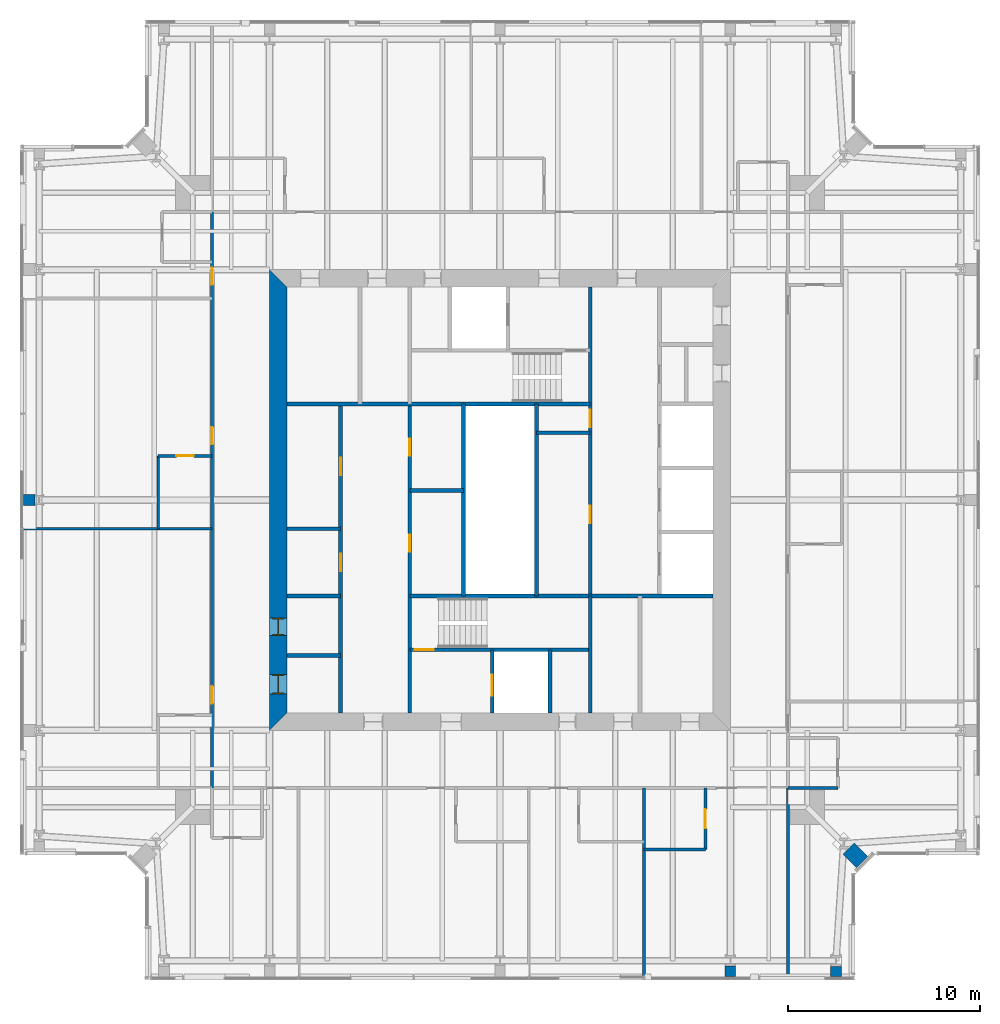
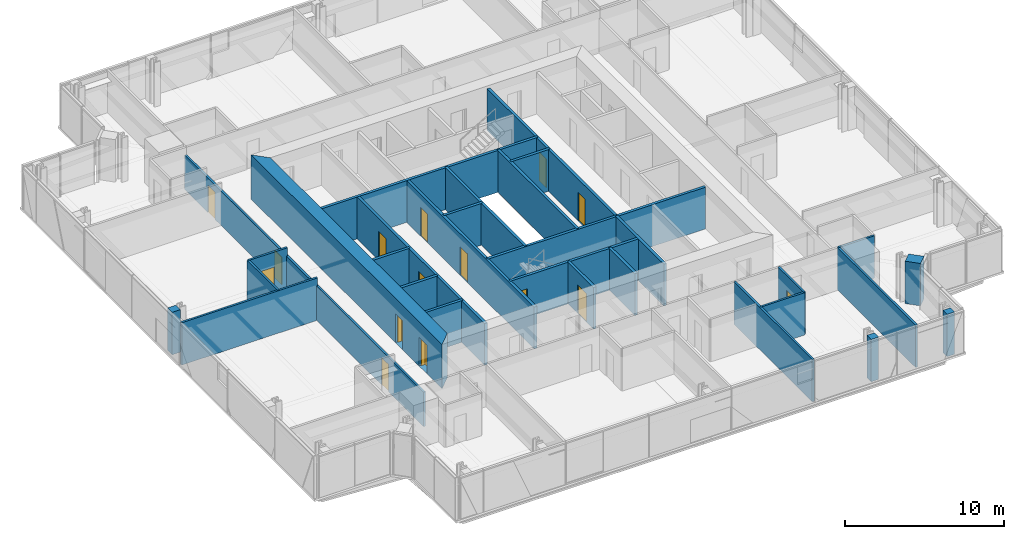
# One storey, part 12 of 20: 30 walls, 15 doors, 15 openings.
"""IFC4 building model written with IfcOpenShell, lengths in metres."""

from ifc_helpers import new_model, si_unit, direction, frame, frame_2d, origin, place, context, subcontext, project, spatial, polyline, rectangle, outline, extrude, material, layer, layer_set, type_object, element, fill, save


model = new_model("IFC4")

# Units and contexts
model_context = context("Model", 3, precision=1e-05, world=origin(), true_north=direction((0.0, 1.0)))
body_context = subcontext(model_context, "Body", "Model", "MODEL_VIEW")
ifc_project = project(units=[si_unit("LENGTHUNIT", "METRE"), si_unit("AREAUNIT", "SQUARE_METRE"), si_unit("VOLUMEUNIT", "CUBIC_METRE"), si_unit("PLANEANGLEUNIT", "RADIAN"), si_unit("MASSUNIT", "GRAM", prefix="KILO")], contexts=[model_context])

# Site, building, storey
site_placement = place(None, origin())
site = spatial("IfcSite", under=ifc_project, at=site_placement, CompositionType="ELEMENT")
building_placement = place(site_placement, origin())
building = spatial("IfcBuilding", under=site, at=building_placement, Name="Fenwick Lantern Interchange", CompositionType="ELEMENT")
storey_placement = place(building_placement, frame((0.0, 0.0, 276.39990234375)))
storey = spatial("IfcBuildingStorey", under=building, at=storey_placement, Name="L66", CompositionType="ELEMENT", Elevation=276.39990234375)

# Walls
ifc_material_1 = material(Name="Fire-rated gypsum board encasement on steel studs, 2 hour", Category="steel")
ifc_layer_1 = layer(ifc_material_1, 0.5419921875)
ifc_layer_set_1 = layer_set([ifc_layer_1], Name="COLUMN PIER 542")
wall_type_1 = type_object("IfcWallType", Name="COLUMN PIER 542", PredefinedType="PARTITIONING", material=ifc_layer_set_1)
wall_1_placement = place(storey_placement, frame((37.0, 0.18994140625, 0.0), z_axis=(0.0, 0.0, 1.0), x_axis=(0.0, 1.0, 0.0)))
element("IfcWall", 1, at=wall_1_placement, inside=storey, type_object=wall_type_1, Name="L66/W/PIER/CS4", PredefinedType="PARTITIONING", context=body_context, shape_type="SweptSolid", body=[
    extrude(rectangle(XDim=0.544677734375, YDim=0.5419921875, at=frame_2d((0.2724609375, 0.0))), origin(), (0.0, 0.0, 1.0), 3.25),
])
ifc_layer_2 = layer(ifc_material_1, 0.554931640625)
ifc_layer_set_2 = layer_set([ifc_layer_2], Name="COLUMN PIER 555")
wall_type_2 = type_object("IfcWallType", Name="COLUMN PIER 555", PredefinedType="PARTITIONING", material=ifc_layer_set_2)
wall_2_placement = place(storey_placement, frame((42.5, 0.18994140625, 0.0), z_axis=(0.0, 0.0, 1.0), x_axis=(0.0, 1.0, 0.0)))
element("IfcWall", 2, at=wall_2_placement, inside=storey, type_object=wall_type_2, Name="L66/W/PIER/CS5", PredefinedType="PARTITIONING", context=body_context, shape_type="SweptSolid", body=[
    extrude(rectangle(XDim=0.525634765625, YDim=0.554931640625, at=frame_2d((0.2626953125, 0.0))), origin(), (0.0, 0.0, 1.0), 3.25),
])
ifc_layer_3 = layer(ifc_material_1, 0.574951171875)
ifc_layer_set_3 = layer_set([ifc_layer_3], Name="COLUMN PIER 575")
wall_type_3 = type_object("IfcWallType", Name="COLUMN PIER 575", PredefinedType="PARTITIONING", material=ifc_layer_set_3)
wall_3_placement = place(storey_placement, frame((0.18994140625, 25.0, 0.0), z_axis=(0.0, 0.0, 1.0), x_axis=(1.0, 0.0, 0.0)))
element("IfcWall", 3, at=wall_3_placement, inside=storey, type_object=wall_type_3, Name="L66/W/PIER/CW3", PredefinedType="PARTITIONING", context=body_context, shape_type="SweptSolid", body=[
    extrude(rectangle(XDim=0.597900390625, YDim=0.574951171875, at=frame_2d((0.298828125, 0.0))), origin(), (0.0, 0.0, 1.0), 3.25),
])
ifc_layer_4 = layer(ifc_material_1, 0.823974609375)
ifc_layer_set_4 = layer_set([ifc_layer_4], Name="COLUMN PIER 824")
wall_type_4 = type_object("IfcWallType", Name="COLUMN PIER 824", PredefinedType="PARTITIONING", material=ifc_layer_set_4)
wall_4_placement = place(storey_placement, frame((43.86572265625, 6.13427734375, 0.0), z_axis=(0.0, 0.0, 1.0), x_axis=(-0.707106781187, 0.707106781187, 0.0)))
element("IfcWall", 4, at=wall_4_placement, inside=storey, type_object=wall_type_4, Name="L66/W/PIER/CSR", PredefinedType="PARTITIONING", context=body_context, shape_type="SweptSolid", body=[
    extrude(rectangle(XDim=1.003662109375, YDim=0.823974609375, at=frame_2d((0.501953125, 0.0))), origin(), (0.0, 0.0, 1.0), 3.25),
])

# Wall, openings, doors
ifc_material_2 = material(Name="Concrete masonry ASTM C90 Grade N", Category="masonry")
ifc_layer_5 = layer(ifc_material_2, 0.199951171875)
ifc_layer_set_5 = layer_set([ifc_layer_5], Name="Concrete masonry ASTM C90 Grade N")
wall_type_5 = type_object("IfcWallType", Name="CORE PARTITION 200", PredefinedType="PARTITIONING", material=ifc_layer_set_5)
wall_5_placement = place(storey_placement, frame((16.699951171875, 13.89990234375, 0.0), z_axis=(0.0, 0.0, 1.0), x_axis=(0.0, 1.0, 0.0)))
wall_5 = element("IfcWall", 5, at=wall_5_placement, inside=storey, type_object=wall_type_5, Name="L66/W/CORES/a", PredefinedType="PARTITIONING", context=body_context, shape_type="SweptSolid", body=[
    extrude(rectangle(XDim=16.10009765625, YDim=0.199951171875, at=frame_2d((8.050048828125, 0.0))), origin(), (0.0, 0.0, 1.0), 3.2001953125),
])
opening_1_placement = place(wall_5_placement, frame((7.39990234375, 0.0, 0.0)))
opening_1 = element("IfcOpeningElement", 6, at=opening_1_placement, cuts=wall_5, Name="Opening L66-D009", PredefinedType="OPENING", context=body_context, shape_type="SweptSolid", body=[
    extrude(rectangle(XDim=0.89990234375, YDim=2.199951171875, at=frame_2d((0.449951171875, 1.10009765625))), frame((0.0, 0.10986328125, 0.0), z_axis=(0.0, -1.0, 0.0), x_axis=(1.0, 0.0, 0.0)), (0.0, 0.0, 1.0), 0.219970703125),
])
opening_2_placement = place(wall_5_placement, frame((12.39990234375, 0.0, 0.0)))
opening_2 = element("IfcOpeningElement", 7, at=opening_2_placement, cuts=wall_5, Name="Opening L66-D010", PredefinedType="OPENING", context=body_context, shape_type="SweptSolid", body=[
    extrude(rectangle(XDim=0.89990234375, YDim=2.199951171875, at=frame_2d((0.449951171875, 1.10009765625))), frame((0.0, 0.10986328125, 0.0), z_axis=(0.0, -1.0, 0.0), x_axis=(1.0, 0.0, 0.0)), (0.0, 0.0, 1.0), 0.219970703125),
])
ifc_material_3 = material(Name="Steel door and frame", Category="steel")
door_type_1 = type_object("IfcDoorType", Name="SERVICE DOOR 900 X 2200", OperationType="SINGLE_SWING_LEFT", PredefinedType="DOOR", material=ifc_material_3)
door_1_placement = place(opening_1_placement, origin())
door_1 = element("IfcDoor", 8, at=door_1_placement, inside=storey, type_object=door_type_1, Name="Service door", OperationType="SINGLE_SWING_LEFT", OverallHeight=2.199951171875, OverallWidth=0.89990234375, PredefinedType="DOOR", context=body_context, shape_type="SweptSolid", body=[
    extrude(rectangle(XDim=0.89990234375, YDim=2.199951171875, at=frame_2d((0.449951171875, 1.10009765625))), frame((0.0, 0.02490234375, 0.0), z_axis=(0.0, -1.0, 0.0), x_axis=(1.0, 0.0, 0.0)), (0.0, 0.0, 1.0), 0.050048828125),
])
fill(opening_1, door_1)
door_2_placement = place(opening_2_placement, origin())
door_2 = element("IfcDoor", 9, at=door_2_placement, inside=storey, type_object=door_type_1, Name="Service door", OperationType="SINGLE_SWING_LEFT", OverallHeight=2.199951171875, OverallWidth=0.89990234375, PredefinedType="DOOR", context=body_context, shape_type="SweptSolid", body=[
    extrude(rectangle(XDim=0.89990234375, YDim=2.199951171875, at=frame_2d((0.449951171875, 1.10009765625))), frame((0.0, 0.02490234375, 0.0), z_axis=(0.0, -1.0, 0.0), x_axis=(1.0, 0.0, 0.0)), (0.0, 0.0, 1.0), 0.050048828125),
])
fill(opening_2, door_2)

# Wall
wall_6_placement = place(storey_placement, frame((23.10009765625, 20.0, 0.0), z_axis=(0.0, 0.0, 1.0), x_axis=(0.0, 1.0, 0.0)))
element("IfcWall", 10, at=wall_6_placement, inside=storey, type_object=wall_type_5, Name="L66/W/CORES/e3", PredefinedType="PARTITIONING", context=body_context, shape_type="SweptSolid", body=[
    extrude(rectangle(XDim=10.0, YDim=0.199951171875, at=frame_2d((5.0, 0.0))), origin(), (0.0, 0.0, 1.0), 3.2001953125),
])

# Wall, opening, door
wall_7_placement = place(storey_placement, frame((24.60009765625, 13.89990234375, 0.0), z_axis=(0.0, 0.0, 1.0), x_axis=(0.0, 1.0, 0.0)))
wall_7 = element("IfcWall", 11, at=wall_7_placement, inside=storey, type_object=wall_type_5, Name="L66/W/CORES/h1", PredefinedType="PARTITIONING", context=body_context, shape_type="SweptSolid", body=[
    extrude(rectangle(XDim=3.300048828125, YDim=0.199951171875, at=frame_2d((1.64990234375, 0.0))), origin(), (0.0, 0.0, 1.0), 3.2001953125),
])
opening_3_placement = place(wall_7_placement, frame((0.89990234375, 0.0, 0.0)))
opening_3 = element("IfcOpeningElement", 12, at=opening_3_placement, cuts=wall_7, Name="Opening LD-FL1", PredefinedType="OPENING", context=body_context, shape_type="SweptSolid", body=[
    extrude(rectangle(XDim=1.10009765625, YDim=2.199951171875, at=frame_2d((0.550048828125, 1.10009765625))), frame((0.0, 0.10986328125, 0.0), z_axis=(0.0, -1.0, 0.0), x_axis=(1.0, 0.0, 0.0)), (0.0, 0.0, 1.0), 0.219970703125),
])
door_type_2 = type_object("IfcDoorType", Name="LIFT LANDING DOOR 1100 X 2200", OperationType="DOUBLE_DOOR_SLIDING", PredefinedType="DOOR", material=ifc_material_3)
door_3_placement = place(opening_3_placement, origin())
door_3 = element("IfcDoor", 13, at=door_3_placement, inside=storey, type_object=door_type_2, Name="Lift landing door FL1", OperationType="DOUBLE_DOOR_SLIDING", OverallHeight=2.199951171875, OverallWidth=1.10009765625, PredefinedType="DOOR", context=body_context, shape_type="SweptSolid", body=[
    extrude(rectangle(XDim=1.10009765625, YDim=2.199951171875, at=frame_2d((0.550048828125, 1.10009765625))), frame((0.0, 0.02490234375, 0.0), z_axis=(0.0, -1.0, 0.0), x_axis=(1.0, 0.0, 0.0)), (0.0, 0.0, 1.0), 0.050048828125),
])
fill(opening_3, door_3)

# Walls
wall_8_placement = place(storey_placement, frame((27.60009765625, 13.89990234375, 0.0), z_axis=(0.0, 0.0, 1.0), x_axis=(0.0, 1.0, 0.0)))
element("IfcWall", 14, at=wall_8_placement, inside=storey, type_object=wall_type_5, Name="L66/W/CORES/h2", PredefinedType="PARTITIONING", context=body_context, shape_type="SweptSolid", body=[
    extrude(rectangle(XDim=3.300048828125, YDim=0.199951171875, at=frame_2d((1.64990234375, 0.0))), origin(), (0.0, 0.0, 1.0), 3.2001953125),
])
for number, where, z_axis, x_axis, name in (
    (15, (13.89990234375, 16.89990234375, 0.0), (0.0, 0.0, 1.0), (1.0, 0.0, 0.0), "L66/W/CORES/p1"),
    (16, (13.89990234375, 20.0, 0.0), (0.0, 0.0, 1.0), (1.0, 0.0, 0.0), "L66/W/CORES/p2"),
    (17, (13.89990234375, 23.5, 0.0), (0.0, 0.0, 1.0), (1.0, 0.0, 0.0), "L66/W/CORES/p3"),
    (18, (20.300048828125, 25.5, 0.0), (0.0, 0.0, 1.0), (1.0, 0.0, 0.0), "L66/W/CORES/q1"),
):
    element("IfcWall", number, at=place(storey_placement, frame(where, z_axis=z_axis, x_axis=x_axis)), inside=storey, type_object=wall_type_5, Name=name, PredefinedType="PARTITIONING", context=body_context, shape_type="SweptSolid", body=[
        extrude(rectangle(XDim=2.800048828125, YDim=0.199951171875, at=frame_2d((1.39990234375, 0.0))), origin(), (0.0, 0.0, 1.0), 3.2001953125),
    ])
wall_9_placement = place(storey_placement, frame((26.89990234375, 30.0, 0.0), z_axis=(0.0, 0.0, 1.0), x_axis=(0.0, -1.0, 0.0)))
element("IfcWall", 19, at=wall_9_placement, inside=storey, type_object=wall_type_5, Name="L66/W/COREN/e3", PredefinedType="PARTITIONING", context=body_context, shape_type="SweptSolid", body=[
    extrude(rectangle(XDim=10.0, YDim=0.199951171875, at=frame_2d((5.0, 0.0))), origin(), (0.0, 0.0, 1.0), 3.2001953125),
])
wall_10_placement = place(storey_placement, frame((29.699951171875, 28.5, 0.0), z_axis=(0.0, 0.0, 1.0), x_axis=(-1.0, 0.0, 0.0)))
element("IfcWall", 20, at=wall_10_placement, inside=storey, type_object=wall_type_5, Name="L66/W/COREN/q1", PredefinedType="PARTITIONING", context=body_context, shape_type="SweptSolid", body=[
    extrude(rectangle(XDim=2.800048828125, YDim=0.199951171875, at=frame_2d((1.39990234375, 0.0))), origin(), (0.0, 0.0, 1.0), 3.2001953125),
])

# Wall, openings, doors
ifc_material_4 = material(Name="Concrete f'c 70 MPa", Category="concrete")
ifc_layer_6 = layer(ifc_material_4, 0.89990234375)
ifc_layer_set_6 = layer_set([ifc_layer_6], Name="CORE WALL 900")
wall_type_6 = type_object("IfcWallType", Name="CORE WALL 900", PredefinedType="SHEAR", material=ifc_layer_set_6)
wall_11_placement = place(storey_placement, frame((13.449951171875, 36.10009765625, 0.0), z_axis=(0.0, 0.0, 1.0), x_axis=(0.0, -1.0, 0.0)))
wall_11 = element("IfcWall", 21, at=wall_11_placement, inside=storey, type_object=wall_type_6, Name="L66/CORE/W", PredefinedType="SHEAR", context=body_context, shape_type="SweptSolid", body=[
    extrude(outline(polyline([(-0.89990234375, -0.449951171875), (23.10009765625, -0.449951171875), (22.199951171875, 0.449951171875), (0.0, 0.449951171875), (-0.89990234375, -0.449951171875)])), origin(), (0.0, 0.0, 1.0), 3.400146484375),
])
opening_4_placement = place(wall_11_placement, frame((20.199951171875, 0.0, 0.0)))
opening_4 = element("IfcOpeningElement", 22, at=opening_4_placement, cuts=wall_11, Name="Opening L66-D007", PredefinedType="OPENING", context=body_context, shape_type="SweptSolid", body=[
    extrude(rectangle(XDim=1.0, YDim=2.199951171875, at=frame_2d((0.5, 1.10009765625))), frame((0.0, 0.4599609375, 0.0), z_axis=(0.0, -1.0, 0.0), x_axis=(1.0, 0.0, 0.0)), (0.0, 0.0, 1.0), 0.919921875),
])
opening_5_placement = place(wall_11_placement, frame((17.25, 0.0, 0.0)))
opening_5 = element("IfcOpeningElement", 23, at=opening_5_placement, cuts=wall_11, Name="Opening L66-D008", PredefinedType="OPENING", context=body_context, shape_type="SweptSolid", body=[
    extrude(rectangle(XDim=0.89990234375, YDim=2.199951171875, at=frame_2d((0.449951171875, 1.10009765625))), frame((0.0, 0.4599609375, 0.0), z_axis=(0.0, -1.0, 0.0), x_axis=(1.0, 0.0, 0.0)), (0.0, 0.0, 1.0), 0.919921875),
])
door_4_placement = place(opening_5_placement, origin())
door_4 = element("IfcDoor", 24, at=door_4_placement, inside=storey, type_object=door_type_1, Name="Service door", OperationType="SINGLE_SWING_RIGHT", OverallHeight=2.199951171875, OverallWidth=0.89990234375, PredefinedType="DOOR", context=body_context, shape_type="SweptSolid", body=[
    extrude(rectangle(XDim=0.89990234375, YDim=2.199951171875, at=frame_2d((0.449951171875, 1.10009765625))), frame((0.0, 0.02490234375, 0.0), z_axis=(0.0, -1.0, 0.0), x_axis=(1.0, 0.0, 0.0)), (0.0, 0.0, 1.0), 0.050048828125),
    extrude(outline(polyline([(0.0, 0.0), (0.0400390625, 0.0), (0.0400390625, 2.159912109375), (0.85986328125, 2.159912109375), (0.85986328125, 0.0), (0.89990234375, 0.0), (0.89990234375, 2.199951171875), (0.0, 2.199951171875), (0.0, 0.0)])), frame((0.0, 0.300048828125, 0.0), z_axis=(0.0, -1.0, 0.0), x_axis=(1.0, 0.0, 0.0)), (0.0, 0.0, 1.0), 0.60009765625),
])
fill(opening_5, door_4)
ifc_material_5 = material(Name="Hardwood door and steel frame", Category="steel")
door_type_3 = type_object("IfcDoorType", Name="WC DOOR 1000 X 2200", OperationType="SINGLE_SWING_LEFT", PredefinedType="DOOR", material=ifc_material_5)
door_5_placement = place(opening_4_placement, origin())
door_5 = element("IfcDoor", 25, at=door_5_placement, inside=storey, type_object=door_type_3, Name="Wc door", OperationType="SINGLE_SWING_LEFT", OverallHeight=2.199951171875, OverallWidth=1.0, PredefinedType="DOOR", context=body_context, shape_type="SweptSolid", body=[
    extrude(rectangle(XDim=1.0, YDim=2.199951171875, at=frame_2d((0.5, 1.10009765625))), frame((0.0, 0.02490234375, 0.0), z_axis=(0.0, -1.0, 0.0), x_axis=(1.0, 0.0, 0.0)), (0.0, 0.0, 1.0), 0.050048828125),
    extrude(outline(polyline([(0.0, 0.0), (0.0400390625, 0.0), (0.0400390625, 2.159912109375), (0.9599609375, 2.159912109375), (0.9599609375, 0.0), (1.0, 0.0), (1.0, 2.199951171875), (0.0, 2.199951171875), (0.0, 0.0)])), frame((0.0, 0.300048828125, 0.0), z_axis=(0.0, -1.0, 0.0), x_axis=(1.0, 0.0, 0.0)), (0.0, 0.0, 1.0), 0.60009765625),
])
fill(opening_4, door_5)

ifc_material_6 = material(Name="Gypsum board on steel studs, 1 hour", Category="steel")
ifc_layer_7 = layer(ifc_material_6, 0.14990234375)
ifc_layer_set_7 = layer_set([ifc_layer_7], Name="CORRIDOR WALL 150")
wall_type_7 = type_object("IfcWallType", Name="CORRIDOR WALL 150", PredefinedType="PARTITIONING", material=ifc_layer_set_7)
wall_12_placement = place(storey_placement, frame((10.0, 40.0, 0.0), z_axis=(0.0, 0.0, 1.0), x_axis=(0.0, -1.0, 0.0)))
wall_12 = element("IfcWall", 26, at=wall_12_placement, inside=storey, type_object=wall_type_7, Name="L66/W/HOTEL/W/CW", PredefinedType="PARTITIONING", context=body_context, shape_type="SweptSolid", body=[
    extrude(rectangle(XDim=30.0, YDim=0.14990234375, at=frame_2d((15.0, 0.0))), origin(), (0.0, 0.0, 1.0), 2.637939453125),
])
opening_6_placement = place(wall_12_placement, frame((2.89990234375, 0.0, 0.0)))
opening_6 = element("IfcOpeningElement", 27, at=opening_6_placement, cuts=wall_12, Name="Opening L66-D044", PredefinedType="OPENING", context=body_context, shape_type="SweptSolid", body=[
    extrude(rectangle(XDim=0.89990234375, YDim=2.10009765625, at=frame_2d((0.449951171875, 1.050048828125))), frame((0.0, 0.0849609375, 0.0), z_axis=(0.0, -1.0, 0.0), x_axis=(1.0, 0.0, 0.0)), (0.0, 0.0, 1.0), 0.169921875),
])
opening_7_placement = place(wall_12_placement, frame((11.199951171875, 0.0, 0.0)))
opening_7 = element("IfcOpeningElement", 28, at=opening_7_placement, cuts=wall_12, Name="Opening L66-D047", PredefinedType="OPENING", context=body_context, shape_type="SweptSolid", body=[
    extrude(rectangle(XDim=0.89990234375, YDim=2.10009765625, at=frame_2d((0.449951171875, 1.050048828125))), frame((0.0, 0.0849609375, 0.0), z_axis=(0.0, -1.0, 0.0), x_axis=(1.0, 0.0, 0.0)), (0.0, 0.0, 1.0), 0.169921875),
])
opening_8_placement = place(wall_12_placement, frame((24.699951171875, 0.0, 0.0)))
opening_8 = element("IfcOpeningElement", 29, at=opening_8_placement, cuts=wall_12, Name="Opening L66-D049", PredefinedType="OPENING", context=body_context, shape_type="SweptSolid", body=[
    extrude(rectangle(XDim=0.89990234375, YDim=2.10009765625, at=frame_2d((0.449951171875, 1.050048828125))), frame((0.0, 0.0849609375, 0.0), z_axis=(0.0, -1.0, 0.0), x_axis=(1.0, 0.0, 0.0)), (0.0, 0.0, 1.0), 0.169921875),
])
door_type_4 = type_object("IfcDoorType", Name="GUEST ROOM DOOR 900 X 2100", OperationType="SINGLE_SWING_LEFT", PredefinedType="DOOR", material=ifc_material_3)
door_6_placement = place(opening_6_placement, frame((0.89990234375, 0.0, 0.0), z_axis=(0.0, 0.0, 1.0), x_axis=(-1.0, 0.0, 0.0)))
door_6 = element("IfcDoor", 30, at=door_6_placement, inside=storey, type_object=door_type_4, Name="Guest room door", OperationType="SINGLE_SWING_RIGHT", OverallHeight=2.10009765625, OverallWidth=0.89990234375, PredefinedType="DOOR", context=body_context, shape_type="SweptSolid", body=[
    extrude(rectangle(XDim=0.89990234375, YDim=2.10009765625, at=frame_2d((0.449951171875, 1.050048828125))), frame((0.0, 0.02490234375, 0.0), z_axis=(0.0, -1.0, 0.0), x_axis=(1.0, 0.0, 0.0)), (0.0, 0.0, 1.0), 0.050048828125),
])
fill(opening_6, door_6)
door_7_placement = place(opening_7_placement, frame((0.89990234375, 0.0, 0.0), z_axis=(0.0, 0.0, 1.0), x_axis=(-1.0, 0.0, 0.0)))
door_7 = element("IfcDoor", 31, at=door_7_placement, inside=storey, type_object=door_type_4, Name="Guest room door", OperationType="SINGLE_SWING_LEFT", OverallHeight=2.10009765625, OverallWidth=0.89990234375, PredefinedType="DOOR", context=body_context, shape_type="SweptSolid", body=[
    extrude(rectangle(XDim=0.89990234375, YDim=2.10009765625, at=frame_2d((0.449951171875, 1.050048828125))), frame((0.0, 0.02490234375, 0.0), z_axis=(0.0, -1.0, 0.0), x_axis=(1.0, 0.0, 0.0)), (0.0, 0.0, 1.0), 0.050048828125),
])
fill(opening_7, door_7)
door_8_placement = place(opening_8_placement, frame((0.89990234375, 0.0, 0.0), z_axis=(0.0, 0.0, 1.0), x_axis=(-1.0, 0.0, 0.0)))
door_8 = element("IfcDoor", 32, at=door_8_placement, inside=storey, type_object=door_type_4, Name="Guest room door", OperationType="SINGLE_SWING_LEFT", OverallHeight=2.10009765625, OverallWidth=0.89990234375, PredefinedType="DOOR", context=body_context, shape_type="SweptSolid", body=[
    extrude(rectangle(XDim=0.89990234375, YDim=2.10009765625, at=frame_2d((0.449951171875, 1.050048828125))), frame((0.0, 0.02490234375, 0.0), z_axis=(0.0, -1.0, 0.0), x_axis=(1.0, 0.0, 0.0)), (0.0, 0.0, 1.0), 0.050048828125),
])
fill(opening_8, door_8)

# Wall
ifc_material_7 = material(Name="Gypsum board on steel studs, moisture resistant", Category="steel")
ifc_layer_8 = layer(ifc_material_7, 0.14990234375)
ifc_layer_set_8 = layer_set([ifc_layer_8], Name="EN-SUITE WALL 150")
wall_type_8 = type_object("IfcWallType", Name="EN-SUITE WALL 150", PredefinedType="PARTITIONING", material=ifc_layer_set_8)
wall_13_placement = place(storey_placement, frame((32.5, 6.800048828125, 0.0), z_axis=(0.0, 0.0, 1.0), x_axis=(1.0, 0.0, 0.0)))
element("IfcWall", 33, at=wall_13_placement, inside=storey, type_object=wall_type_8, Name="L66/W/HOTEL/S/U4BW", PredefinedType="PARTITIONING", context=body_context, shape_type="SweptSolid", body=[
    extrude(rectangle(XDim=3.199951171875, YDim=0.14990234375, at=frame_2d((1.60009765625, 0.0))), origin(), (0.0, 0.0, 1.0), 3.25),
])

# Wall, opening, door
wall_14_placement = place(storey_placement, frame((35.699951171875, 6.800048828125, 0.0), z_axis=(0.0, 0.0, 1.0), x_axis=(0.0, 1.0, 0.0)))
wall_14 = element("IfcWall", 34, at=wall_14_placement, inside=storey, type_object=wall_type_8, Name="L66/W/HOTEL/S/U4BX", PredefinedType="PARTITIONING", context=body_context, shape_type="SweptSolid", body=[
    extrude(rectangle(XDim=3.199951171875, YDim=0.14990234375, at=frame_2d((1.60009765625, 0.0))), origin(), (0.0, 0.0, 1.0), 3.25),
])
opening_9_placement = place(wall_14_placement, frame((1.10009765625, 0.0, 0.0)))
opening_9 = element("IfcOpeningElement", 35, at=opening_9_placement, cuts=wall_14, Name="Opening L66-D030", PredefinedType="OPENING", context=body_context, shape_type="SweptSolid", body=[
    extrude(rectangle(XDim=1.0, YDim=2.10009765625, at=frame_2d((0.5, 1.050048828125))), frame((0.0, 0.0849609375, 0.0), z_axis=(0.0, -1.0, 0.0), x_axis=(1.0, 0.0, 0.0)), (0.0, 0.0, 1.0), 0.169921875),
])
door_type_5 = type_object("IfcDoorType", Name="EN-SUITE DOOR 1000 X 2100", OperationType="SINGLE_SWING_LEFT", PredefinedType="DOOR", material=ifc_material_5)
door_9_placement = place(opening_9_placement, origin())
door_9 = element("IfcDoor", 36, at=door_9_placement, inside=storey, type_object=door_type_5, Name="En-suite door", OperationType="SINGLE_SWING_LEFT", OverallHeight=2.10009765625, OverallWidth=1.0, PredefinedType="DOOR", context=body_context, shape_type="SweptSolid", body=[
    extrude(rectangle(XDim=1.0, YDim=2.10009765625, at=frame_2d((0.5, 1.050048828125))), frame((0.0, 0.02490234375, 0.0), z_axis=(0.0, -1.0, 0.0), x_axis=(1.0, 0.0, 0.0)), (0.0, 0.0, 1.0), 0.050048828125),
])
fill(opening_9, door_9)

# Walls
wall_15_placement = place(storey_placement, frame((42.60009765625, 10.0, 0.0), z_axis=(0.0, 0.0, 1.0), x_axis=(-1.0, 0.0, 0.0)))
element("IfcWall", 37, at=wall_15_placement, inside=storey, type_object=wall_type_8, Name="L66/W/HOTEL/E/U1BX", PredefinedType="PARTITIONING", context=body_context, shape_type="SweptSolid", body=[
    extrude(rectangle(XDim=2.60009765625, YDim=0.14990234375, at=frame_2d((1.300048828125, 0.0))), origin(), (0.0, 0.0, 1.0), 3.25),
])
wall_16_placement = place(storey_placement, frame((7.199951171875, 27.300048828125, 0.0), z_axis=(0.0, 0.0, 1.0), x_axis=(0.0, -1.0, 0.0)))
element("IfcWall", 38, at=wall_16_placement, inside=storey, type_object=wall_type_8, Name="L66/W/HOTEL/W/U2BW", PredefinedType="PARTITIONING", context=body_context, shape_type="SweptSolid", body=[
    extrude(rectangle(XDim=3.800048828125, YDim=0.14990234375, at=frame_2d((1.89990234375, 0.0))), origin(), (0.0, 0.0, 1.0), 3.25),
])

# Wall, opening, door
wall_17_placement = place(storey_placement, frame((7.199951171875, 27.300048828125, 0.0), z_axis=(0.0, 0.0, 1.0), x_axis=(1.0, 0.0, 0.0)))
wall_17 = element("IfcWall", 39, at=wall_17_placement, inside=storey, type_object=wall_type_8, Name="L66/W/HOTEL/W/U2BX", PredefinedType="PARTITIONING", context=body_context, shape_type="SweptSolid", body=[
    extrude(rectangle(XDim=2.800048828125, YDim=0.14990234375, at=frame_2d((1.39990234375, 0.0))), origin(), (0.0, 0.0, 1.0), 3.25),
])
opening_10_placement = place(wall_17_placement, frame((0.949951171875, 0.0, 0.0)))
opening_10 = element("IfcOpeningElement", 40, at=opening_10_placement, cuts=wall_17, Name="Opening L66-D046", PredefinedType="OPENING", context=body_context, shape_type="SweptSolid", body=[
    extrude(rectangle(XDim=0.89990234375, YDim=2.10009765625, at=frame_2d((0.449951171875, 1.050048828125))), frame((0.0, 0.0849609375, 0.0), z_axis=(0.0, -1.0, 0.0), x_axis=(1.0, 0.0, 0.0)), (0.0, 0.0, 1.0), 0.169921875),
])
door_type_6 = type_object("IfcDoorType", Name="EN-SUITE DOOR 900 X 2100", OperationType="SINGLE_SWING_LEFT", PredefinedType="DOOR", material=ifc_material_5)
door_10_placement = place(opening_10_placement, frame((0.89990234375, 0.0, 0.0), z_axis=(0.0, 0.0, 1.0), x_axis=(-1.0, 0.0, 0.0)))
door_10 = element("IfcDoor", 41, at=door_10_placement, inside=storey, type_object=door_type_6, Name="En-suite door", OperationType="SINGLE_SWING_RIGHT", OverallHeight=2.10009765625, OverallWidth=0.89990234375, PredefinedType="DOOR", context=body_context, shape_type="SweptSolid", body=[
    extrude(rectangle(XDim=0.89990234375, YDim=2.10009765625, at=frame_2d((0.449951171875, 1.050048828125))), frame((0.0, 0.02490234375, 0.0), z_axis=(0.0, -1.0, 0.0), x_axis=(1.0, 0.0, 0.0)), (0.0, 0.0, 1.0), 0.050048828125),
])
fill(opening_10, door_10)

# Walls
ifc_material_8 = material(Name="Gypsum board on steel studs, 1 hour acoustic", Category="steel")
ifc_layer_9 = layer(ifc_material_8, 0.14990234375)
ifc_layer_set_9 = layer_set([ifc_layer_9], Name="PARTY WALL 150")
wall_type_9 = type_object("IfcWallType", Name="PARTY WALL 150", PredefinedType="PARTITIONING", material=ifc_layer_set_9)
for number, where, z_axis, x_axis, name in (
    (42, (32.5, 0.14990234375, 0.0), (0.0, 0.0, 1.0), (0.0, 1.0, 0.0), "L66/W/HOTEL/S/U4PW"),
    (43, (40.0, 0.14990234375, 0.0), (0.0, 0.0, 1.0), (0.0, 1.0, 0.0), "L66/W/HOTEL/E/SW3"),
    (44, (0.14990234375, 23.5, 0.0), (0.0, 0.0, 1.0), (1.0, 0.0, 0.0), "L66/W/HOTEL/W/U3PW"),
):
    element("IfcWall", number, at=place(storey_placement, frame(where, z_axis=z_axis, x_axis=x_axis)), inside=storey, type_object=wall_type_9, Name=name, PredefinedType="PARTITIONING", context=body_context, shape_type="SweptSolid", body=[
        extrude(rectangle(XDim=9.85009765625, YDim=0.14990234375, at=frame_2d((4.925048828125, 0.0))), origin(), (0.0, 0.0, 1.0), 3.25),
    ])

# Wall, openings, doors
ifc_material_9 = material(Name="Concrete f'c 45 MPa", Category="concrete")
ifc_layer_10 = layer(ifc_material_9, 0.199951171875)
ifc_layer_set_10 = layer_set([ifc_layer_10], Name="STAIR CORE WALL 200")
wall_type_10 = type_object("IfcWallType", Name="STAIR CORE WALL 200", PredefinedType="SOLIDWALL", material=ifc_layer_set_10)
wall_18_placement = place(storey_placement, frame((20.300048828125, 13.89990234375, 0.0), z_axis=(0.0, 0.0, 1.0), x_axis=(0.0, 1.0, 0.0)))
wall_18 = element("IfcWall", 45, at=wall_18_placement, inside=storey, type_object=wall_type_10, Name="L66/W/CORES/b", PredefinedType="SOLIDWALL", context=body_context, shape_type="SweptSolid", body=[
    extrude(rectangle(XDim=16.10009765625, YDim=0.199951171875, at=frame_2d((8.050048828125, 0.0))), origin(), (0.0, 0.0, 1.0), 3.2001953125),
])
opening_11_placement = place(wall_18_placement, frame((8.39990234375, 0.0, 0.0)))
opening_11 = element("IfcOpeningElement", 46, at=opening_11_placement, cuts=wall_18, Name="Opening L66-D011", PredefinedType="OPENING", context=body_context, shape_type="SweptSolid", body=[
    extrude(rectangle(XDim=0.89990234375, YDim=2.199951171875, at=frame_2d((0.449951171875, 1.10009765625))), frame((0.0, 0.10986328125, 0.0), z_axis=(0.0, -1.0, 0.0), x_axis=(1.0, 0.0, 0.0)), (0.0, 0.0, 1.0), 0.219970703125),
])
opening_12_placement = place(wall_18_placement, frame((13.39990234375, 0.0, 0.0)))
opening_12 = element("IfcOpeningElement", 47, at=opening_12_placement, cuts=wall_18, Name="Opening L66-D012", PredefinedType="OPENING", context=body_context, shape_type="SweptSolid", body=[
    extrude(rectangle(XDim=0.89990234375, YDim=2.199951171875, at=frame_2d((0.449951171875, 1.10009765625))), frame((0.0, 0.10986328125, 0.0), z_axis=(0.0, -1.0, 0.0), x_axis=(1.0, 0.0, 0.0)), (0.0, 0.0, 1.0), 0.219970703125),
])
door_11_placement = place(opening_11_placement, frame((0.89990234375, 0.0, 0.0), z_axis=(0.0, 0.0, 1.0), x_axis=(-1.0, 0.0, 0.0)))
door_11 = element("IfcDoor", 48, at=door_11_placement, inside=storey, type_object=door_type_1, Name="Service door", OperationType="SINGLE_SWING_RIGHT", OverallHeight=2.199951171875, OverallWidth=0.89990234375, PredefinedType="DOOR", context=body_context, shape_type="SweptSolid", body=[
    extrude(rectangle(XDim=0.89990234375, YDim=2.199951171875, at=frame_2d((0.449951171875, 1.10009765625))), frame((0.0, 0.02490234375, 0.0), z_axis=(0.0, -1.0, 0.0), x_axis=(1.0, 0.0, 0.0)), (0.0, 0.0, 1.0), 0.050048828125),
])
fill(opening_11, door_11)
door_12_placement = place(opening_12_placement, frame((0.89990234375, 0.0, 0.0), z_axis=(0.0, 0.0, 1.0), x_axis=(-1.0, 0.0, 0.0)))
door_12 = element("IfcDoor", 49, at=door_12_placement, inside=storey, type_object=door_type_1, Name="Service door", OperationType="SINGLE_SWING_RIGHT", OverallHeight=2.199951171875, OverallWidth=0.89990234375, PredefinedType="DOOR", context=body_context, shape_type="SweptSolid", body=[
    extrude(rectangle(XDim=0.89990234375, YDim=2.199951171875, at=frame_2d((0.449951171875, 1.10009765625))), frame((0.0, 0.02490234375, 0.0), z_axis=(0.0, -1.0, 0.0), x_axis=(1.0, 0.0, 0.0)), (0.0, 0.0, 1.0), 0.050048828125),
])
fill(opening_12, door_12)

# Wall, opening, door
wall_19_placement = place(storey_placement, frame((20.300048828125, 17.199951171875, 0.0), z_axis=(0.0, 0.0, 1.0), x_axis=(1.0, 0.0, 0.0)))
wall_19 = element("IfcWall", 50, at=wall_19_placement, inside=storey, type_object=wall_type_10, Name="L66/W/CORES/g1", PredefinedType="SOLIDWALL", context=body_context, shape_type="SweptSolid", body=[
    extrude(rectangle(XDim=9.39990234375, YDim=0.199951171875, at=frame_2d((4.699951171875, 0.0))), origin(), (0.0, 0.0, 1.0), 3.2001953125),
])
opening_13_placement = place(wall_19_placement, frame((0.25, 0.0, 0.0)))
opening_13 = element("IfcOpeningElement", 51, at=opening_13_placement, cuts=wall_19, Name="Opening L66-D003", PredefinedType="OPENING", context=body_context, shape_type="SweptSolid", body=[
    extrude(rectangle(XDim=1.0, YDim=2.199951171875, at=frame_2d((0.5, 1.10009765625))), frame((0.0, 0.10986328125, 0.0), z_axis=(0.0, -1.0, 0.0), x_axis=(1.0, 0.0, 0.0)), (0.0, 0.0, 1.0), 0.219970703125),
])
door_type_7 = type_object("IfcDoorType", Name="STAIR DOOR 1000 X 2200", OperationType="SINGLE_SWING_LEFT", PredefinedType="DOOR", material=ifc_material_3)
door_13_placement = place(opening_13_placement, origin())
door_13 = element("IfcDoor", 52, at=door_13_placement, inside=storey, type_object=door_type_7, Name="Stair door", OperationType="SINGLE_SWING_LEFT", OverallHeight=2.199951171875, OverallWidth=1.0, PredefinedType="DOOR", context=body_context, shape_type="SweptSolid", body=[
    extrude(rectangle(XDim=1.0, YDim=2.199951171875, at=frame_2d((0.5, 1.10009765625))), frame((0.0, 0.02490234375, 0.0), z_axis=(0.0, -1.0, 0.0), x_axis=(1.0, 0.0, 0.0)), (0.0, 0.0, 1.0), 0.050048828125),
])
fill(opening_13, door_13)

# Walls
wall_20_placement = place(storey_placement, frame((20.300048828125, 20.0, 0.0), z_axis=(0.0, 0.0, 1.0), x_axis=(1.0, 0.0, 0.0)))
element("IfcWall", 53, at=wall_20_placement, inside=storey, type_object=wall_type_10, Name="L66/W/CORES/g2", PredefinedType="SOLIDWALL", context=body_context, shape_type="SweptSolid", body=[
    extrude(rectangle(XDim=15.800048828125, YDim=0.199951171875, at=frame_2d((7.89990234375, 0.0))), origin(), (0.0, 0.0, 1.0), 3.2001953125),
])
wall_21_placement = place(storey_placement, frame((29.699951171875, 13.89990234375, 0.0), z_axis=(0.0, 0.0, 1.0), x_axis=(0.0, 1.0, 0.0)))
element("IfcWall", 54, at=wall_21_placement, inside=storey, type_object=wall_type_10, Name="L66/W/CORES/i1", PredefinedType="SOLIDWALL", context=body_context, shape_type="SweptSolid", body=[
    extrude(rectangle(XDim=6.10009765625, YDim=0.199951171875, at=frame_2d((3.050048828125, 0.0))), origin(), (0.0, 0.0, 1.0), 3.2001953125),
])

# Wall, openings, doors
wall_22_placement = place(storey_placement, frame((29.699951171875, 36.10009765625, 0.0), z_axis=(0.0, 0.0, 1.0), x_axis=(0.0, -1.0, 0.0)))
wall_22 = element("IfcWall", 55, at=wall_22_placement, inside=storey, type_object=wall_type_10, Name="L66/W/COREN/b", PredefinedType="SOLIDWALL", context=body_context, shape_type="SweptSolid", body=[
    extrude(rectangle(XDim=16.10009765625, YDim=0.199951171875, at=frame_2d((8.050048828125, 0.0))), origin(), (0.0, 0.0, 1.0), 3.2001953125),
])
opening_14_placement = place(wall_22_placement, frame((6.39990234375, 0.0, 0.0)))
opening_14 = element("IfcOpeningElement", 56, at=opening_14_placement, cuts=wall_22, Name="Opening L66-D022", PredefinedType="OPENING", context=body_context, shape_type="SweptSolid", body=[
    extrude(rectangle(XDim=0.89990234375, YDim=2.199951171875, at=frame_2d((0.449951171875, 1.10009765625))), frame((0.0, 0.10986328125, 0.0), z_axis=(0.0, -1.0, 0.0), x_axis=(1.0, 0.0, 0.0)), (0.0, 0.0, 1.0), 0.219970703125),
])
opening_15_placement = place(wall_22_placement, frame((11.39990234375, 0.0, 0.0)))
opening_15 = element("IfcOpeningElement", 57, at=opening_15_placement, cuts=wall_22, Name="Opening L66-D023", PredefinedType="OPENING", context=body_context, shape_type="SweptSolid", body=[
    extrude(rectangle(XDim=0.89990234375, YDim=2.199951171875, at=frame_2d((0.449951171875, 1.10009765625))), frame((0.0, 0.10986328125, 0.0), z_axis=(0.0, -1.0, 0.0), x_axis=(1.0, 0.0, 0.0)), (0.0, 0.0, 1.0), 0.219970703125),
])
door_14_placement = place(opening_14_placement, frame((0.89990234375, 0.0, 0.0), z_axis=(0.0, 0.0, 1.0), x_axis=(-1.0, 0.0, 0.0)))
door_14 = element("IfcDoor", 58, at=door_14_placement, inside=storey, type_object=door_type_1, Name="Service door", OperationType="SINGLE_SWING_RIGHT", OverallHeight=2.199951171875, OverallWidth=0.89990234375, PredefinedType="DOOR", context=body_context, shape_type="SweptSolid", body=[
    extrude(rectangle(XDim=0.89990234375, YDim=2.199951171875, at=frame_2d((0.449951171875, 1.10009765625))), frame((0.0, 0.02490234375, 0.0), z_axis=(0.0, -1.0, 0.0), x_axis=(1.0, 0.0, 0.0)), (0.0, 0.0, 1.0), 0.050048828125),
])
fill(opening_14, door_14)
door_15_placement = place(opening_15_placement, frame((0.89990234375, 0.0, 0.0), z_axis=(0.0, 0.0, 1.0), x_axis=(-1.0, 0.0, 0.0)))
door_15 = element("IfcDoor", 59, at=door_15_placement, inside=storey, type_object=door_type_1, Name="Service door", OperationType="SINGLE_SWING_RIGHT", OverallHeight=2.199951171875, OverallWidth=0.89990234375, PredefinedType="DOOR", context=body_context, shape_type="SweptSolid", body=[
    extrude(rectangle(XDim=0.89990234375, YDim=2.199951171875, at=frame_2d((0.449951171875, 1.10009765625))), frame((0.0, 0.02490234375, 0.0), z_axis=(0.0, -1.0, 0.0), x_axis=(1.0, 0.0, 0.0)), (0.0, 0.0, 1.0), 0.050048828125),
])
fill(opening_15, door_15)

# Wall
wall_23_placement = place(storey_placement, frame((29.699951171875, 30.0, 0.0), z_axis=(0.0, 0.0, 1.0), x_axis=(-1.0, 0.0, 0.0)))
element("IfcWall", 60, at=wall_23_placement, inside=storey, type_object=wall_type_10, Name="L66/W/COREN/g2", PredefinedType="SOLIDWALL", context=body_context, shape_type="SweptSolid", body=[
    extrude(rectangle(XDim=15.800048828125, YDim=0.199951171875, at=frame_2d((7.89990234375, 0.0))), origin(), (0.0, 0.0, 1.0), 3.2001953125),
])

save(model, "model.ifc")
